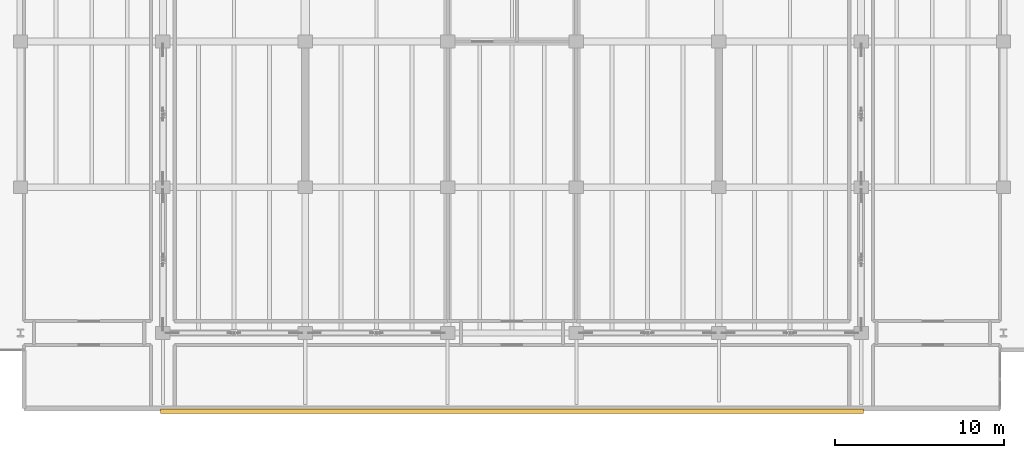
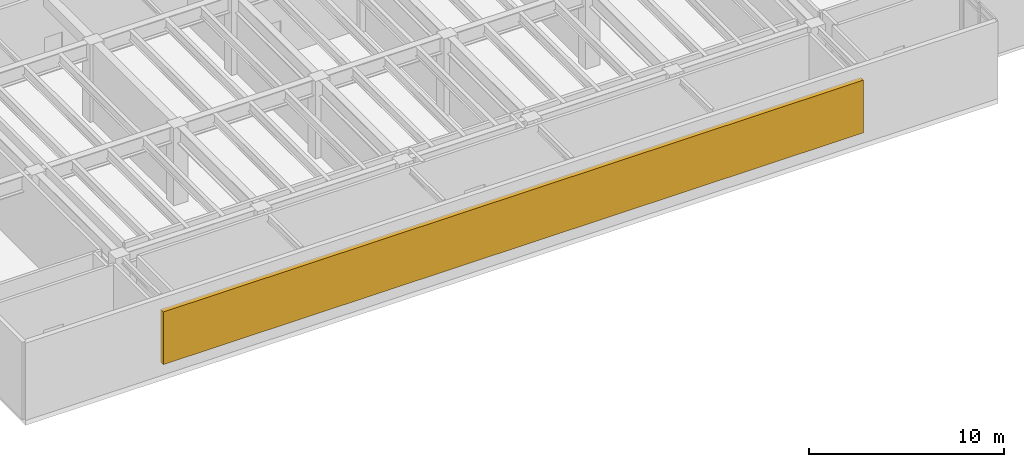
# One storey, part 20 of 23: 1 shading device.
"""IFC4 building model written with IfcOpenShell, lengths in metres."""

from ifc_helpers import new_model, si_unit, direction, frame, origin, origin_2d, place, context, subcontext, project, spatial, rectangle, extrude, material, layer, layer_set, type_object, element, save


model = new_model("IFC4")

# Units and contexts
model_context = context("Model", 3, precision=1e-05, world=origin(), true_north=direction((0.0, 1.0)))
body_context = subcontext(model_context, "Body", "Model", "MODEL_VIEW")
ifc_project = project(units=[si_unit("LENGTHUNIT", "METRE"), si_unit("AREAUNIT", "SQUARE_METRE"), si_unit("VOLUMEUNIT", "CUBIC_METRE"), si_unit("PLANEANGLEUNIT", "RADIAN"), si_unit("MASSUNIT", "GRAM", prefix="KILO")], contexts=[model_context])

# Site, building, storey
site_placement = place(None, origin())
site = spatial("IfcSite", under=ifc_project, at=site_placement, CompositionType="ELEMENT")
building_placement = place(site_placement, origin())
building = spatial("IfcBuilding", under=site, at=building_placement, Name="Caelmar Bay Residences", CompositionType="ELEMENT")
storey_placement = place(building_placement, frame((0.0, 0.0, 221.39990234375)))
storey = spatial("IfcBuildingStorey", under=building, at=storey_placement, Name="L62", CompositionType="ELEMENT", Elevation=221.39990234375)

# Shading device
ifc_material = material(Name="Anodised architectural bronze aluminium 6063-T6", Category="aluminium")
ifc_layer = layer(ifc_material, 0.219970703125)
ifc_layer_set = layer_set([ifc_layer], Name="Anodised architectural bronze aluminium 6063-T6")
shading_device_type = type_object("IfcShadingDeviceType", Name="SHD-LVR-300", PredefinedType="JALOUSIE", material=ifc_layer_set)
shading_device_placement = place(storey_placement, frame((38.89990234375, 7.580078125, 0.77587890625), z_axis=(0.0, 0.0, 1.0), x_axis=(1.0, 0.0, 0.0)))
element("IfcShadingDevice", 1, at=shading_device_placement, inside=storey, type_object=shading_device_type, Name="L62 South Acoustic Storm Louvre", PredefinedType="JALOUSIE", context=body_context, shape_type="SweptSolid", body=[
    extrude(rectangle(XDim=41.471923828125, YDim=0.280029296875, at=origin_2d()), origin(), (0.0, 0.0, 1.0), 3.298095703125),
])

save(model, "model.ifc")
